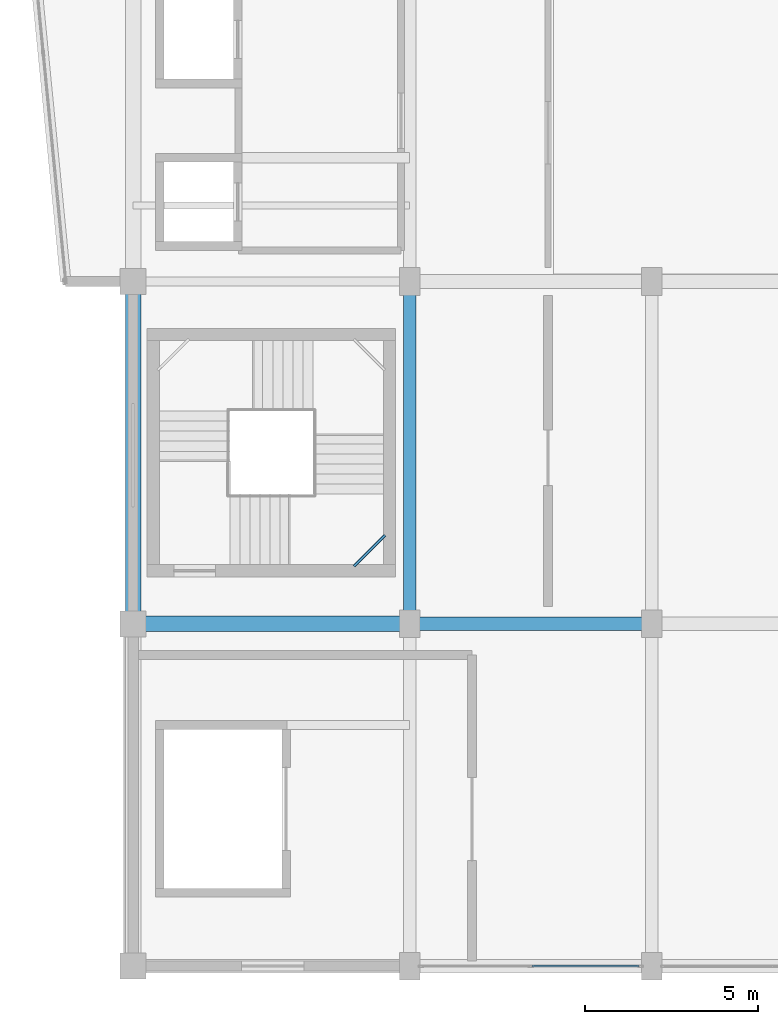
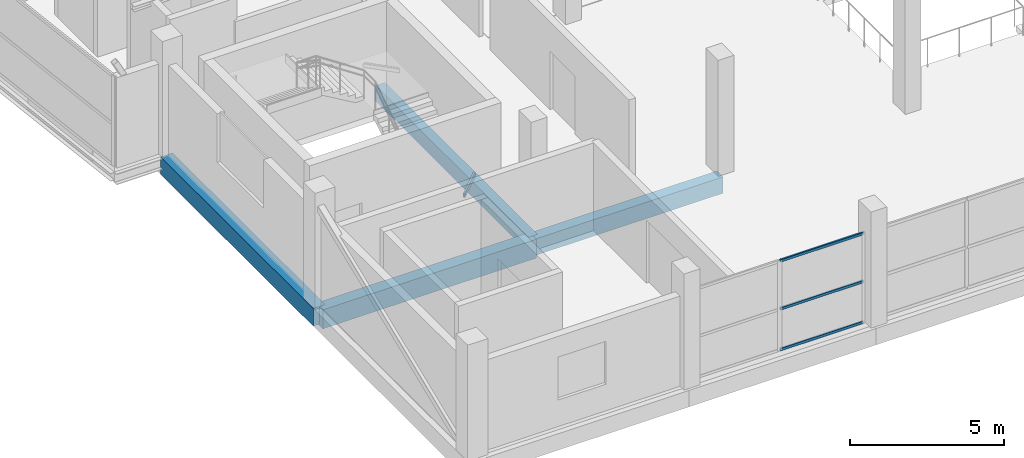
# One storey, part 3 of 49: 5 beams, 3 members, 1 element without a shape of its own.
"""IFC4 building model written with IfcOpenShell, lengths in metres."""

from ifc_helpers import new_model, si_unit, direction, frame, origin, origin_2d, place, context, subcontext, project, spatial, rectangle, hollow_rectangle, extrude, material, layer, layer_set, material_profile, profile_set, type_object, element, aggregate, save


model = new_model("IFC4")

# Units and contexts
model_context = context("Model", 3, precision=1e-05, world=origin(), true_north=direction((0.0, 1.0)))
body_context = subcontext(model_context, "Body", "Model", "MODEL_VIEW")
ifc_project = project(units=[si_unit("LENGTHUNIT", "METRE"), si_unit("AREAUNIT", "SQUARE_METRE"), si_unit("VOLUMEUNIT", "CUBIC_METRE"), si_unit("PLANEANGLEUNIT", "RADIAN"), si_unit("MASSUNIT", "GRAM", prefix="KILO")], contexts=[model_context])

# Site, building, storey
site_placement = place(None, origin())
site = spatial("IfcSite", under=ifc_project, at=site_placement, CompositionType="ELEMENT")
building_placement = place(site_placement, origin())
building = spatial("IfcBuilding", under=site, at=building_placement, Name="Sillaruma Civic Art Gallery", CompositionType="ELEMENT")
storey_placement = place(building_placement, frame((0.0, 0.0, 33.14990234375)))
storey = spatial("IfcBuildingStorey", under=building, at=storey_placement, Name="L06", CompositionType="ELEMENT", Elevation=33.14990234375)

# Beams
ifc_material_1 = material(Name="Concrete H35 (35 MPa)", Category="concrete")
ifc_material_profile_1 = material_profile(ifc_material_1, rectangle(XDim=0.35009765625, YDim=0.60009765625, at=origin_2d()), Name="RCB350x600")
ifc_profile_set_1 = profile_set([ifc_material_profile_1], Name="Concrete H35 (35 MPa)")
beam_type_1 = type_object("IfcBeamType", Name="BM-BEAM-RCB350x600", PredefinedType="BEAM", material=ifc_profile_set_1)
beam_1_placement = place(storey_placement, frame((70.0, 29.699951171875, -0.539794921875), z_axis=(0.0, 1.0, 0.0), x_axis=(-1.0, 0.0, 0.0)))
element("IfcBeam", 1, at=beam_1_placement, inside=storey, type_object=beam_type_1, Name="Beam BM-06 (L05:G:4-5)", PredefinedType="BEAM", context=body_context, shape_type="SweptSolid", body=[
    extrude(rectangle(XDim=0.35009765625, YDim=0.60009765625, at=origin_2d()), origin(), (0.0, 0.0, 1.0), 9.900146484375),
])
ifc_material_profile_2 = material_profile(ifc_material_1, rectangle(XDim=0.39990234375, YDim=0.64990234375, at=origin_2d()), Name="RCB400x650")
ifc_profile_set_2 = profile_set([ifc_material_profile_2], Name="Concrete H35 (35 MPa)")
beam_type_2 = type_object("IfcBeamType", Name="BM-BEAM-RCB400x650", PredefinedType="BEAM", material=ifc_profile_set_2)
beam_2_placement = place(storey_placement, frame((70.0, 29.699951171875, -0.56494140625), z_axis=(1.0, 0.0, 0.0), x_axis=(0.0, 1.0, 0.0)))
element("IfcBeam", 2, at=beam_2_placement, inside=storey, type_object=beam_type_2, Name="Beam BM-05 (L05:4:G-H)", PredefinedType="BEAM", context=body_context, shape_type="SweptSolid", body=[
    extrude(rectangle(XDim=0.39990234375, YDim=0.64990234375, at=origin_2d()), origin(), (0.0, 0.0, 1.0), 7.0),
])
ifc_material_2 = material(Name="Concrete H40 (40 MPa)", Category="concrete")
ifc_material_profile_3 = material_profile(ifc_material_2, rectangle(XDim=0.449951171875, YDim=0.75, at=origin_2d()), Name="RCB450x750")
ifc_profile_set_3 = profile_set([ifc_material_profile_3], Name="Concrete H40 (40 MPa)")
beam_type_3 = type_object("IfcBeamType", Name="BM-BEAM-RCB450x750", PredefinedType="BEAM", material=ifc_profile_set_3)
beam_3_placement = place(storey_placement, frame((62.0, 29.699951171875, -0.614990234375), z_axis=(1.0, 0.0, 0.0), x_axis=(0.0, 1.0, 0.0)))
element("IfcBeam", 3, at=beam_3_placement, inside=storey, type_object=beam_type_3, Name="Beam BM-03 (L05:4:F-G)", PredefinedType="BEAM", context=body_context, shape_type="SweptSolid", body=[
    extrude(rectangle(XDim=0.449951171875, YDim=0.75, at=origin_2d()), origin(), (0.0, 0.0, 1.0), 8.0),
])
ifc_material_3 = material(Name="Structural Steel ASTM A500 Gr.C", Category="steel")
ifc_material_profile_4 = material_profile(ifc_material_3, hollow_rectangle(XDim=0.080078125, YDim=0.159912109375, WallThickness=0.008056640625, InnerFilletRadius=0.008056640625, OuterFilletRadius=0.01611328125, at=origin_2d()), Name="HSS160x80x8")
ifc_profile_set_4 = profile_set([ifc_material_profile_4], Name="Structural Steel ASTM A500 Gr.C")
beam_type_4 = type_object("IfcBeamType", Name="BM-LND-HSS160", PredefinedType="BEAM", material=ifc_profile_set_4)
beam_4_placement = place(storey_placement, frame((68.389892578125, 31.3701171875, 0.91015625), z_axis=(0.707203758046, 0.707009791025, 0.0), x_axis=(-0.707009791025, 0.707203758046, 0.0)))
element("IfcBeam", 4, at=beam_4_placement, inside=storey, type_object=beam_type_4, Name="Stair Corner Landing Trimmer Beam (ST-03-L06-1)", PredefinedType="BEAM", context=body_context, shape_type="SweptSolid", body=[
    extrude(hollow_rectangle(XDim=0.080078125, YDim=0.159912109375, WallThickness=0.008056640625, InnerFilletRadius=0.008056640625, OuterFilletRadius=0.01611328125, at=origin_2d()), origin(), (0.0, 0.0, 1.0), 1.2587890625),
])
ifc_material_profile_5 = material_profile(ifc_material_1, rectangle(XDim=0.449951171875, YDim=0.699951171875, at=origin_2d()), Name="RCB450x700")
ifc_profile_set_5 = profile_set([ifc_material_profile_5], Name="Concrete H35 (35 MPa)")
beam_type_5 = type_object("IfcBeamType", Name="BM-SPANDREL-RCB450x700", PredefinedType="SPANDREL", material=ifc_profile_set_5)
beam_5_placement = place(storey_placement, frame((62.0, 29.699951171875, -0.58984375), z_axis=(0.0, 1.0, 0.0), x_axis=(-1.0, 0.0, 0.0)))
element("IfcBeam", 5, at=beam_5_placement, inside=storey, type_object=beam_type_5, Name="Beam BS-03 (L05:F:4-5)", PredefinedType="SPANDREL", context=body_context, shape_type="SweptSolid", body=[
    extrude(rectangle(XDim=0.449951171875, YDim=0.699951171875, at=origin_2d()), origin(), (0.0, 0.0, 1.0), 9.900146484375),
])

# Curtain wall, members
ifc_material_4 = material(Name="Thermally Broken Extruded Aluminium 6063-T6", Category="aluminium")
ifc_layer = layer(ifc_material_4, 0.159912109375, Name="Thermally Broken Extruded Aluminium 6063-T6")
ifc_layer_set = layer_set([ifc_layer], Name="Thermally Broken Extruded Aluminium 6063-T6")
curtain_wall_type = type_object("IfcCurtainWallType", Name="CW-UNI-37", PredefinedType="NOTDEFINED", material=ifc_layer_set)
curtain_wall_placement = place(storey_placement, origin())
curtain_wall = element("IfcCurtainWall", 6, at=curtain_wall_placement, inside=storey, type_object=curtain_wall_type, Name="Unitised Curtain Wall CW-37 (CW-L06-S-2)", PredefinedType="NOTDEFINED")
ifc_material_profile_6 = material_profile(ifc_material_4, hollow_rectangle(XDim=0.06005859375, YDim=0.10009765625, WallThickness=0.003173828125, at=origin_2d()), Name="CWT60x100")
ifc_profile_set_6 = profile_set([ifc_material_profile_6], Name="Thermally Broken Extruded Aluminium 6063-T6")
member_type = type_object("IfcMemberType", Name="MEM-TRN-CWT60x100", PredefinedType="USERDEFINED", material=ifc_profile_set_6)
member_1_placement = place(storey_placement, frame((73.532470703125, 19.800048828125, 0.030029296875), z_axis=(1.0, 0.0, 0.0), x_axis=(0.0, 1.0, 0.0)))
member_1 = element("IfcMember", 7, at=member_1_placement, type_object=member_type, Name="CW-37 transom 2.1", ObjectType="TRANSOM", PredefinedType="USERDEFINED", context=body_context, shape_type="SweptSolid", body=[
    extrude(hollow_rectangle(XDim=0.06005859375, YDim=0.10009765625, WallThickness=0.003173828125, at=origin_2d()), origin(), (0.0, 0.0, 1.0), 3.1025390625),
])
member_2_placement = place(storey_placement, frame((73.532470703125, 19.800048828125, 1.642333984375), z_axis=(1.0, 0.0, 0.0), x_axis=(0.0, 1.0, 0.0)))
member_2 = element("IfcMember", 8, at=member_2_placement, type_object=member_type, Name="CW-37 transom 2.2", ObjectType="TRANSOM", PredefinedType="USERDEFINED", context=body_context, shape_type="SweptSolid", body=[
    extrude(hollow_rectangle(XDim=0.06005859375, YDim=0.10009765625, WallThickness=0.003173828125, at=origin_2d()), origin(), (0.0, 0.0, 1.0), 3.1025390625),
])
member_3_placement = place(storey_placement, frame((73.532470703125, 19.800048828125, 3.5400390625), z_axis=(1.0, 0.0, 0.0), x_axis=(0.0, 1.0, 0.0)))
member_3 = element("IfcMember", 9, at=member_3_placement, type_object=member_type, Name="CW-37 transom 2.3", ObjectType="TRANSOM", PredefinedType="USERDEFINED", context=body_context, shape_type="SweptSolid", body=[
    extrude(hollow_rectangle(XDim=0.06005859375, YDim=0.10009765625, WallThickness=0.003173828125, at=origin_2d()), origin(), (0.0, 0.0, 1.0), 3.1025390625),
])
aggregate(curtain_wall, [member_1, member_2, member_3])

save(model, "model.ifc")
